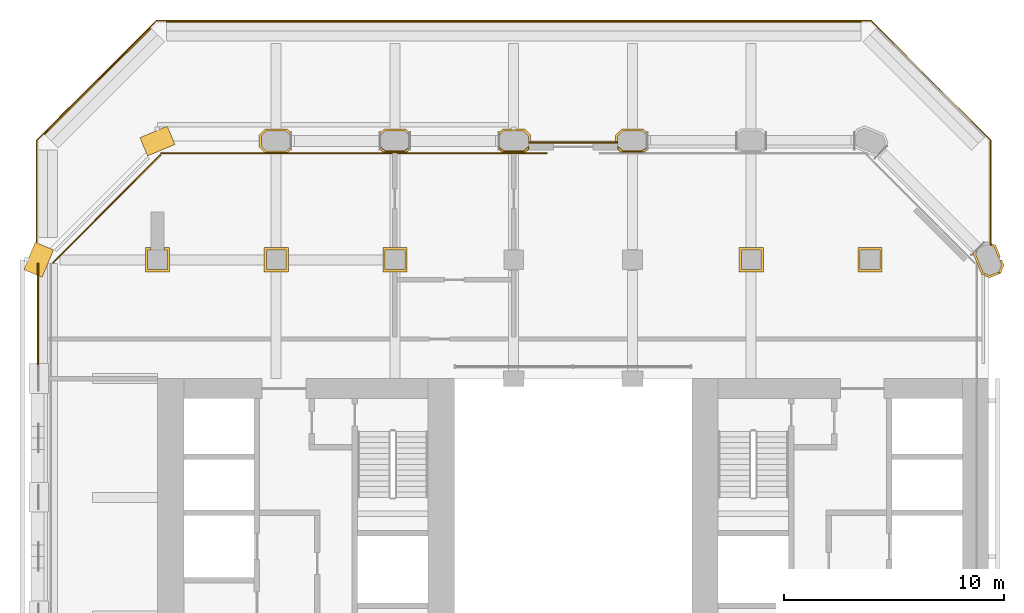
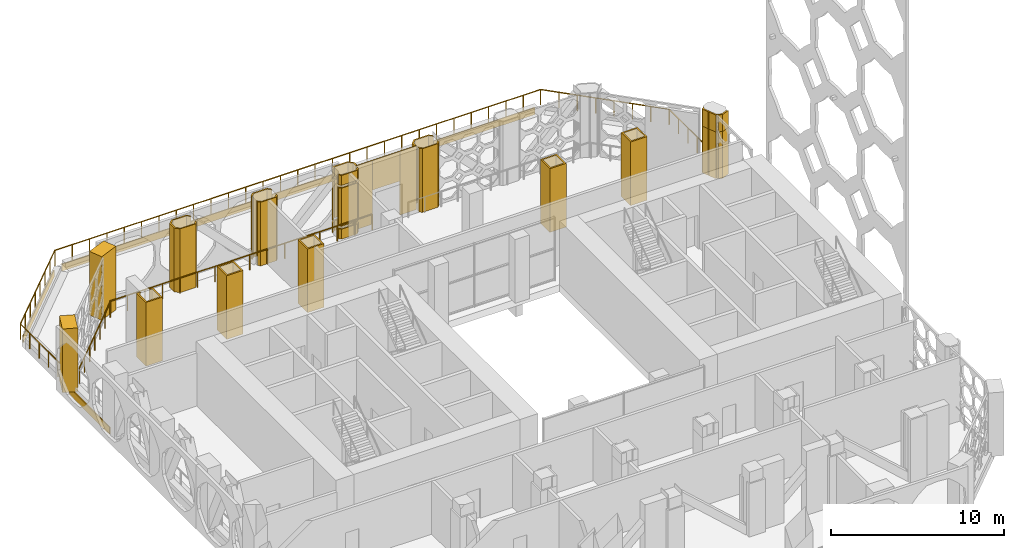
# One storey, part 16 of 17: 26 coverings, 3 railings.
"""IFC4 building model written with IfcOpenShell, lengths in metres."""

from ifc_helpers import new_model, si_unit, direction, frame, frame_2d, origin, origin_2d, place, context, subcontext, project, spatial, polyline, rectangle, circle, outline, extrude, material, layer, layer_set, type_object, element, save


model = new_model("IFC4")

# Units and contexts
model_context = context("Model", 3, precision=1e-05, world=origin(), true_north=direction((0.0, 1.0)))
body_context = subcontext(model_context, "Body", "Model", "MODEL_VIEW")
ifc_project = project(units=[si_unit("LENGTHUNIT", "METRE"), si_unit("AREAUNIT", "SQUARE_METRE"), si_unit("VOLUMEUNIT", "CUBIC_METRE"), si_unit("PLANEANGLEUNIT", "RADIAN"), si_unit("MASSUNIT", "GRAM", prefix="KILO")], contexts=[model_context])

# Site, building, storey
site_placement = place(None, origin())
site = spatial("IfcSite", under=ifc_project, at=site_placement, CompositionType="ELEMENT")
building_placement = place(site_placement, origin())
building = spatial("IfcBuilding", under=site, at=building_placement, Name="Tabaq Tower and Sports Hall", CompositionType="ELEMENT")
storey_placement = place(building_placement, frame((0.0, 0.0, 125.800048828125)))
storey = spatial("IfcBuildingStorey", under=building, at=storey_placement, Name="L30", CompositionType="ELEMENT", Elevation=125.800048828125)

# Coverings
ifc_material_1 = material(Name="Precast concrete C60/75", Category="concrete")
ifc_layer_1 = layer(ifc_material_1, 0.10009765625)
ifc_layer_set_1 = layer_set([ifc_layer_1], Name="Column cladding 100")
covering_type_1 = type_object("IfcCoveringType", Name="Column cladding 100", PredefinedType="CLADDING", material=ifc_layer_set_1)
covering_1_placement = place(storey_placement, origin())
element("IfcCovering", 1, at=covering_1_placement, inside=storey, type_object=covering_type_1, Name="Column cladding L30 CC-2H-S1", PredefinedType="CLADDING", context=body_context, shape_type="SweptSolid", body=[
    extrude(outline(polyline([(5.099609375, 38.349609375), (5.099609375, 38.250244140625), (4.94970703125, 38.250244140625), (4.94970703125, 37.349609375), (5.850341796875, 37.349609375), (5.850341796875, 38.250244140625), (5.7001953125, 38.250244140625), (5.7001953125, 38.349609375), (5.94970703125, 38.349609375), (5.94970703125, 37.250244140625), (4.850341796875, 37.250244140625), (4.850341796875, 38.349609375), (5.099609375, 38.349609375)])), origin(), (0.0, 0.0, 1.0), 4.5),
])
covering_2_placement = place(storey_placement, origin())
element("IfcCovering", 2, at=covering_2_placement, inside=storey, type_object=covering_type_1, Name="Column cladding L30 CC-3H-S1", PredefinedType="CLADDING", context=body_context, shape_type="SweptSolid", body=[
    extrude(outline(polyline([(10.250244140625, 38.349609375), (11.349609375, 38.349609375), (11.349609375, 37.250244140625), (10.250244140625, 37.250244140625), (10.250244140625, 38.349609375)]), holes=[polyline([(11.250244140625, 37.349609375), (11.250244140625, 38.250244140625), (10.349609375, 38.250244140625), (10.349609375, 37.349609375), (11.250244140625, 37.349609375)])]), origin(), (0.0, 0.0, 1.0), 4.5),
])
covering_3_placement = place(storey_placement, origin())
element("IfcCovering", 3, at=covering_3_placement, inside=storey, type_object=covering_type_1, Name="Column cladding L30 PC-3I-S1", PredefinedType="CLADDING", context=body_context, shape_type="SweptSolid", body=[
    extrude(outline(polyline([(10.025390625, 43.46630859375), (10.30859375, 43.749755859375), (11.291259765625, 43.749755859375), (11.459716796875, 43.581298828125), (11.459716796875, 43.4501953125), (11.4501953125, 43.4501953125), (11.250244140625, 43.650390625), (10.349853515625, 43.650390625), (10.124755859375, 43.425048828125), (10.124755859375, 42.974853515625), (10.349853515625, 42.749755859375), (11.250244140625, 42.749755859375), (11.4501953125, 42.94970703125), (11.459716796875, 42.94970703125), (11.459716796875, 42.818603515625), (11.331298828125, 42.690185546875), (10.268798828125, 42.690185546875), (10.025390625, 42.93359375), (10.025390625, 43.46630859375)])), origin(), (0.0, 0.0, 1.0), 4.5),
])
covering_4_placement = place(storey_placement, origin())
element("IfcCovering", 4, at=covering_4_placement, inside=storey, type_object=covering_type_1, Name="Column cladding L30 CC-4H-S1", PredefinedType="CLADDING", context=body_context, shape_type="SweptSolid", body=[
    extrude(outline(polyline([(15.650390625, 38.349609375), (16.749755859375, 38.349609375), (16.749755859375, 37.250244140625), (15.650390625, 37.250244140625), (15.650390625, 38.349609375)]), holes=[polyline([(16.650390625, 37.349609375), (16.650390625, 38.250244140625), (15.749755859375, 38.250244140625), (15.749755859375, 37.349609375), (16.650390625, 37.349609375)])]), origin(), (0.0, 0.0, 1.0), 4.5),
])
covering_5_placement = place(storey_placement, origin())
element("IfcCovering", 5, at=covering_5_placement, inside=storey, type_object=covering_type_1, Name="Column cladding L30 PC-4I-S1", PredefinedType="CLADDING", context=body_context, shape_type="SweptSolid", body=[
    extrude(outline(polyline([(15.708740234375, 43.749755859375), (16.69140625, 43.749755859375), (16.859619140625, 43.581298828125), (16.859619140625, 43.4501953125), (16.85009765625, 43.4501953125), (16.650146484375, 43.650390625), (15.749755859375, 43.650390625), (15.5498046875, 43.4501953125), (15.540283203125, 43.4501953125), (15.540283203125, 43.581298828125), (15.708740234375, 43.749755859375)])), origin(), (0.0, 0.0, 1.0), 4.5),
])
covering_6_placement = place(storey_placement, origin())
element("IfcCovering", 6, at=covering_6_placement, inside=storey, type_object=covering_type_1, Name="Column cladding L30 PC-4I-S1 2", PredefinedType="CLADDING", context=body_context, shape_type="SweptSolid", body=[
    extrude(outline(polyline([(16.731201171875, 42.690185546875), (15.668701171875, 42.690185546875), (15.540283203125, 42.818603515625), (15.540283203125, 42.94970703125), (15.5498046875, 42.94970703125), (15.749755859375, 42.749755859375), (16.650146484375, 42.749755859375), (16.85009765625, 42.94970703125), (16.859619140625, 42.94970703125), (16.859619140625, 42.818603515625), (16.731201171875, 42.690185546875)])), origin(), (0.0, 0.0, 1.0), 4.5),
])
covering_7_placement = place(storey_placement, origin())
element("IfcCovering", 7, at=covering_7_placement, inside=storey, type_object=covering_type_1, Name="Column cladding L30 PC-5I-S1", PredefinedType="CLADDING", context=body_context, shape_type="SweptSolid", body=[
    extrude(outline(polyline([(21.108642578125, 43.749755859375), (22.09130859375, 43.749755859375), (22.374755859375, 43.46630859375), (22.374755859375, 43.160400390625), (22.275390625, 43.160400390625), (22.275390625, 43.425048828125), (22.050048828125, 43.650390625), (21.14990234375, 43.650390625), (20.949951171875, 43.4501953125), (20.940185546875, 43.4501953125), (20.940185546875, 43.581298828125), (21.108642578125, 43.749755859375)])), origin(), (0.0, 0.0, 1.0), 0.699951171875),
])
covering_8_placement = place(storey_placement, origin())
element("IfcCovering", 8, at=covering_8_placement, inside=storey, type_object=covering_type_1, Name="Column cladding L30 PC-5I-S1 2", PredefinedType="CLADDING", context=body_context, shape_type="SweptSolid", body=[
    extrude(outline(polyline([(22.13134765625, 42.690185546875), (21.068603515625, 42.690185546875), (20.940185546875, 42.818603515625), (20.940185546875, 42.94970703125), (20.949951171875, 42.94970703125), (21.14990234375, 42.749755859375), (22.050048828125, 42.749755859375), (22.274658203125, 42.974365234375), (22.274658203125, 42.833740234375), (22.13134765625, 42.690185546875)])), origin(), (0.0, 0.0, 1.0), 0.699951171875),
])
covering_9_placement = place(storey_placement, frame((0.0, 0.0, 0.89990234375)))
element("IfcCovering", 9, at=covering_9_placement, inside=storey, type_object=covering_type_1, Name="Column cladding L30 PC-5I-S1 2", PredefinedType="CLADDING", context=body_context, shape_type="SweptSolid", body=[
    extrude(outline(polyline([(21.108642578125, 43.749755859375), (22.09130859375, 43.749755859375), (22.374755859375, 43.46630859375), (22.374755859375, 43.160400390625), (22.275390625, 43.160400390625), (22.275390625, 43.425048828125), (22.050048828125, 43.650390625), (21.14990234375, 43.650390625), (20.949951171875, 43.4501953125), (20.940185546875, 43.4501953125), (20.940185546875, 43.581298828125), (21.108642578125, 43.749755859375)])), origin(), (0.0, 0.0, 1.0), 2.699951171875),
])
covering_10_placement = place(storey_placement, frame((0.0, 0.0, 0.89990234375)))
element("IfcCovering", 10, at=covering_10_placement, inside=storey, type_object=covering_type_1, Name="Column cladding L30 PC-5I-S1 2 2", PredefinedType="CLADDING", context=body_context, shape_type="SweptSolid", body=[
    extrude(outline(polyline([(22.13134765625, 42.690185546875), (21.068603515625, 42.690185546875), (20.940185546875, 42.818603515625), (20.940185546875, 42.94970703125), (20.949951171875, 42.94970703125), (21.14990234375, 42.749755859375), (22.050048828125, 42.749755859375), (22.274658203125, 42.974365234375), (22.274658203125, 42.833740234375), (22.13134765625, 42.690185546875)])), origin(), (0.0, 0.0, 1.0), 2.699951171875),
])
covering_11_placement = place(storey_placement, frame((0.0, 0.0, 3.800048828125)))
element("IfcCovering", 11, at=covering_11_placement, inside=storey, type_object=covering_type_1, Name="Column cladding L30 PC-5I-S1 3", PredefinedType="CLADDING", context=body_context, shape_type="SweptSolid", body=[
    extrude(outline(polyline([(21.108642578125, 43.749755859375), (22.09130859375, 43.749755859375), (22.374755859375, 43.46630859375), (22.374755859375, 43.160400390625), (22.275390625, 43.160400390625), (22.275390625, 43.425048828125), (22.050048828125, 43.650390625), (21.14990234375, 43.650390625), (20.949951171875, 43.4501953125), (20.940185546875, 43.4501953125), (20.940185546875, 43.581298828125), (21.108642578125, 43.749755859375)])), origin(), (0.0, 0.0, 1.0), 0.699951171875),
])
covering_12_placement = place(storey_placement, frame((0.0, 0.0, 3.800048828125)))
element("IfcCovering", 12, at=covering_12_placement, inside=storey, type_object=covering_type_1, Name="Column cladding L30 PC-5I-S1 3 2", PredefinedType="CLADDING", context=body_context, shape_type="SweptSolid", body=[
    extrude(outline(polyline([(22.13134765625, 42.690185546875), (21.068603515625, 42.690185546875), (20.940185546875, 42.818603515625), (20.940185546875, 42.94970703125), (20.949951171875, 42.94970703125), (21.14990234375, 42.749755859375), (22.050048828125, 42.749755859375), (22.274658203125, 42.974365234375), (22.274658203125, 42.833740234375), (22.13134765625, 42.690185546875)])), origin(), (0.0, 0.0, 1.0), 0.699951171875),
])
covering_13_placement = place(storey_placement, origin())
element("IfcCovering", 13, at=covering_13_placement, inside=storey, type_object=covering_type_1, Name="Column cladding L30 PC-6I-S1", PredefinedType="CLADDING", context=body_context, shape_type="SweptSolid", body=[
    extrude(outline(polyline([(26.225341796875, 43.46630859375), (26.5087890625, 43.749755859375), (27.4912109375, 43.749755859375), (27.65966796875, 43.581298828125), (27.65966796875, 43.4501953125), (27.650146484375, 43.4501953125), (27.4501953125, 43.650390625), (26.5498046875, 43.650390625), (26.32470703125, 43.425048828125), (26.32470703125, 43.160400390625), (26.225341796875, 43.160400390625), (26.225341796875, 43.46630859375)])), origin(), (0.0, 0.0, 1.0), 4.5),
])
covering_14_placement = place(storey_placement, origin())
element("IfcCovering", 14, at=covering_14_placement, inside=storey, type_object=covering_type_1, Name="Column cladding L30 PC-6I-S1 2", PredefinedType="CLADDING", context=body_context, shape_type="SweptSolid", body=[
    extrude(outline(polyline([(27.53125, 42.690185546875), (26.46875, 42.690185546875), (26.3251953125, 42.833740234375), (26.3251953125, 42.974365234375), (26.5498046875, 42.749755859375), (27.4501953125, 42.749755859375), (27.650146484375, 42.94970703125), (27.65966796875, 42.94970703125), (27.65966796875, 42.818603515625), (27.53125, 42.690185546875)])), origin(), (0.0, 0.0, 1.0), 4.5),
])
covering_15_placement = place(storey_placement, origin())
element("IfcCovering", 15, at=covering_15_placement, inside=storey, type_object=covering_type_1, Name="Column cladding L30 CC-7H-S1", PredefinedType="CLADDING", context=body_context, shape_type="SweptSolid", body=[
    extrude(outline(polyline([(31.850341796875, 38.349609375), (32.94970703125, 38.349609375), (32.94970703125, 37.250244140625), (31.850341796875, 37.250244140625), (31.850341796875, 38.349609375)]), holes=[polyline([(32.850341796875, 37.349609375), (32.850341796875, 38.250244140625), (31.94970703125, 38.250244140625), (31.94970703125, 37.349609375), (32.850341796875, 37.349609375)])]), origin(), (0.0, 0.0, 1.0), 4.5),
])
covering_16_placement = place(storey_placement, origin())
element("IfcCovering", 16, at=covering_16_placement, inside=storey, type_object=covering_type_1, Name="Column cladding L30 CC-8H-S1", PredefinedType="CLADDING", context=body_context, shape_type="SweptSolid", body=[
    extrude(outline(polyline([(37.250244140625, 38.349609375), (38.349609375, 38.349609375), (38.349609375, 37.250244140625), (37.250244140625, 37.250244140625), (37.250244140625, 38.349609375)]), holes=[polyline([(38.250244140625, 37.349609375), (38.250244140625, 38.250244140625), (37.349609375, 38.250244140625), (37.349609375, 37.349609375), (38.250244140625, 37.349609375)])]), origin(), (0.0, 0.0, 1.0), 4.5),
])
covering_17_placement = place(storey_placement, origin())
element("IfcCovering", 17, at=covering_17_placement, inside=storey, type_object=covering_type_1, Name="Column cladding L30 PC-9H-S1", PredefinedType="CLADDING", context=body_context, shape_type="SweptSolid", body=[
    extrude(outline(polyline([(43.25048828125, 36.982421875), (43.01025390625, 37.081787109375), (43.01025390625, 37.125244140625), (42.9052734375, 37.125244140625), (42.880126953125, 37.1357421875), (42.690185546875, 37.593994140625), (42.690185546875, 37.63427734375), (42.690185546875, 37.63818359375), (42.689453125, 37.64208984375), (42.6884765625, 37.64599609375), (42.687255859375, 37.649658203125), (42.685546875, 37.6533203125), (42.68359375, 37.65673828125), (42.68115234375, 37.659912109375), (42.678466796875, 37.662841796875), (42.675537109375, 37.66552734375), (42.67236328125, 37.667724609375), (42.6689453125, 37.669921875), (42.66552734375, 37.671630859375), (42.66162109375, 37.6728515625), (42.657958984375, 37.673828125), (42.6572265625, 37.673828125), (42.504150390625, 38.04345703125), (42.532958984375, 38.113037109375), (42.54248046875, 38.103515625), (42.702880859375, 38.263671875), (42.61181640625, 38.04345703125), (42.956298828125, 37.2119140625), (43.25048828125, 37.08984375), (43.66650390625, 37.26220703125), (43.788330078125, 37.556396484375), (43.44384765625, 38.38818359375), (43.3203125, 38.439208984375), (43.3203125, 38.546875), (43.519775390625, 38.46435546875), (43.73193359375, 37.9521484375), (43.69677734375, 37.9501953125), (43.696533203125, 37.9501953125), (43.696533203125, 37.7998046875), (43.795166015625, 37.7998046875), (43.895751953125, 37.556396484375), (43.742431640625, 37.186279296875), (43.25048828125, 36.982421875)])), origin(), (0.0, 0.0, 1.0), 3.300048828125),
])
covering_18_placement = place(storey_placement, frame((0.0, 0.0, 3.300048828125)))
element("IfcCovering", 18, at=covering_18_placement, inside=storey, type_object=covering_type_1, Name="Column cladding L30 PC-9H-S1 head", PredefinedType="CLADDING", context=body_context, shape_type="SweptSolid", body=[
    extrude(outline(polyline([(43.01025390625, 37.081787109375), (43.01025390625, 37.125244140625), (42.9052734375, 37.125244140625), (42.880126953125, 37.1357421875), (42.690185546875, 37.593994140625), (42.690185546875, 37.63427734375), (42.690185546875, 37.63818359375), (42.689453125, 37.64208984375), (42.6884765625, 37.64599609375), (42.687255859375, 37.649658203125), (42.685546875, 37.6533203125), (42.68359375, 37.65673828125), (42.68115234375, 37.659912109375), (42.678466796875, 37.662841796875), (42.675537109375, 37.66552734375), (42.67236328125, 37.667724609375), (42.6689453125, 37.669921875), (42.66552734375, 37.671630859375), (42.66162109375, 37.6728515625), (42.657958984375, 37.673828125), (42.6572265625, 37.673828125), (42.504150390625, 38.04345703125), (42.532958984375, 38.113037109375), (42.54248046875, 38.103515625), (42.702880859375, 38.263671875), (42.61181640625, 38.04345703125), (42.956298828125, 37.2119140625), (43.25048828125, 37.08984375), (43.649658203125, 37.25537109375), (43.649658203125, 37.19970703125), (43.748046875, 37.19970703125), (43.742431640625, 37.186279296875), (43.25048828125, 36.982421875), (43.01025390625, 37.081787109375)])), origin(), (0.0, 0.0, 1.0), 1.199951171875),
])
ifc_material_2 = material(Name="Precast concrete C60/75", Category="concrete")
ifc_layer_2 = layer(ifc_material_2, 0.06005859375)
ifc_layer_set_2 = layer_set([ifc_layer_2], Name="Edge beam cladding 60")
covering_type_2 = type_object("IfcCoveringType", Name="Edge beam cladding 60", PredefinedType="CLADDING", material=ifc_layer_set_2)
covering_19_placement = place(storey_placement, frame((37.39794921875, 48.6298828125, -0.5), z_axis=(0.0, 0.0, 1.0), x_axis=(-1.0, 0.0, 0.0)))
element("IfcCovering", 19, at=covering_19_placement, inside=storey, type_object=covering_type_2, Name="Edge beam cladding L30 6", PredefinedType="CLADDING", context=body_context, shape_type="SweptSolid", body=[
    extrude(rectangle(XDim=31.595947265625, YDim=0.06005859375, at=frame_2d((15.7978515625, 0.0))), origin(), (0.0, 0.0, 1.0), 0.5),
])
covering_20_placement = place(storey_placement, frame((5.094482421875, 48.3369140625, -0.5), z_axis=(0.0, 0.0, 1.0), x_axis=(-0.707106781187, -0.707106781187, 0.0)))
element("IfcCovering", 20, at=covering_20_placement, inside=storey, type_object=covering_type_2, Name="Edge beam cladding L30 7", PredefinedType="CLADDING", context=body_context, shape_type="SweptSolid", body=[
    extrude(rectangle(XDim=6.83251953125, YDim=0.06005859375, at=frame_2d((3.416259765625, 0.0))), origin(), (0.0, 0.0, 1.0), 0.5),
])
covering_21_placement = place(storey_placement, frame((-0.030029296875, 37.63818359375, -0.5), z_axis=(0.0, 0.0, 1.0), x_axis=(0.0, -1.0, 0.0)))
element("IfcCovering", 21, at=covering_21_placement, inside=storey, type_object=covering_type_2, Name="Edge beam cladding L30 1", PredefinedType="CLADDING", context=body_context, shape_type="SweptSolid", body=[
    extrude(rectangle(XDim=4.67822265625, YDim=0.06005859375, at=frame_2d((2.339111328125, 0.0))), origin(), (0.0, 0.0, 1.0), 0.5),
])

# Railings
ifc_material_3 = material(Name="Stainless steel S316 and laminated glass", Category="steel")
railing_type = type_object("IfcRailingType", Name="Guard 1100 steel and glass", PredefinedType="GUARDRAIL", material=ifc_material_3)
railing_1_placement = place(storey_placement, frame((23.10009765625, 42.64990234375, 0.0)))
element("IfcRailing", 22, at=railing_1_placement, inside=storey, type_object=railing_type, Name="Guard L30 N", PredefinedType="GUARDRAIL", context=body_context, shape_type="SweptSolid", body=[
    extrude(circle(Radius=0.02490234375, at=origin_2d()), frame((0.0, 0.0, 1.0751953125), z_axis=(-1.0, 0.0, 0.0), x_axis=(0.0, -1.0, 0.0)), (0.0, 0.0, 1.0), 17.534423828125),
    extrude(circle(Radius=0.02001953125, at=origin_2d()), origin(), (0.0, 0.0, 1.0), 1.050048828125),
    extrude(circle(Radius=0.02001953125, at=origin_2d()), frame((-1.1689453125, 0.0, 0.0)), (0.0, 0.0, 1.0), 1.050048828125),
    extrude(circle(Radius=0.02001953125, at=origin_2d()), frame((-2.337890625, 0.0, 0.0)), (0.0, 0.0, 1.0), 1.050048828125),
    extrude(circle(Radius=0.02001953125, at=origin_2d()), frame((-3.5068359375, 0.0, 0.0)), (0.0, 0.0, 1.0), 1.050048828125),
    extrude(circle(Radius=0.02001953125, at=origin_2d()), frame((-4.67578125, 0.0, 0.0)), (0.0, 0.0, 1.0), 1.050048828125),
    extrude(circle(Radius=0.02001953125, at=origin_2d()), frame((-5.8447265625, 0.0, 0.0)), (0.0, 0.0, 1.0), 1.050048828125),
    extrude(circle(Radius=0.02001953125, at=origin_2d()), frame((-7.013671875, 0.0, 0.0)), (0.0, 0.0, 1.0), 1.050048828125),
    extrude(circle(Radius=0.02001953125, at=origin_2d()), frame((-8.1826171875, 0.0, 0.0)), (0.0, 0.0, 1.0), 1.050048828125),
    extrude(circle(Radius=0.02001953125, at=origin_2d()), frame((-9.351806640625, 0.0, 0.0)), (0.0, 0.0, 1.0), 1.050048828125),
    extrude(circle(Radius=0.02001953125, at=origin_2d()), frame((-10.520751953125, 0.0, 0.0)), (0.0, 0.0, 1.0), 1.050048828125),
    extrude(circle(Radius=0.02001953125, at=origin_2d()), frame((-11.689697265625, 0.0, 0.0)), (0.0, 0.0, 1.0), 1.050048828125),
    extrude(circle(Radius=0.02001953125, at=origin_2d()), frame((-12.858642578125, 0.0, 0.0)), (0.0, 0.0, 1.0), 1.050048828125),
    extrude(circle(Radius=0.02001953125, at=origin_2d()), frame((-14.027587890625, 0.0, 0.0)), (0.0, 0.0, 1.0), 1.050048828125),
    extrude(circle(Radius=0.02001953125, at=origin_2d()), frame((-15.196533203125, 0.0, 0.0)), (0.0, 0.0, 1.0), 1.050048828125),
    extrude(circle(Radius=0.02001953125, at=origin_2d()), frame((-16.365478515625, 0.0, 0.0)), (0.0, 0.0, 1.0), 1.050048828125),
    extrude(circle(Radius=0.02001953125, at=origin_2d()), frame((-17.534423828125, 0.0, 0.0)), (0.0, 0.0, 1.0), 1.050048828125),
])
railing_2_placement = place(storey_placement, frame((5.52880859375, 42.551025390625, 0.0)))
element("IfcRailing", 23, at=railing_2_placement, inside=storey, type_object=railing_type, Name="Guard L30 NW", PredefinedType="GUARDRAIL", context=body_context, shape_type="SweptSolid", body=[
    extrude(circle(Radius=0.02490234375, at=origin_2d()), frame((0.0, 0.0, 1.0751953125), z_axis=(-0.707106781187, -0.707106781187, 0.0), x_axis=(0.707106781187, -0.707106781187, 0.0)), (0.0, 0.0, 1.0), 6.901123046875),
    extrude(circle(Radius=0.02001953125, at=origin_2d()), origin(), (0.0, 0.0, 1.0), 1.050048828125),
    extrude(circle(Radius=0.02001953125, at=origin_2d()), frame((-0.813232421875, -0.813232421875, 0.0)), (0.0, 0.0, 1.0), 1.050048828125),
    extrude(circle(Radius=0.02001953125, at=origin_2d()), frame((-1.626708984375, -1.626708984375, 0.0)), (0.0, 0.0, 1.0), 1.050048828125),
    extrude(circle(Radius=0.02001953125, at=origin_2d()), frame((-2.43994140625, -2.43994140625, 0.0)), (0.0, 0.0, 1.0), 1.050048828125),
    extrude(circle(Radius=0.02001953125, at=origin_2d()), frame((-3.253173828125, -3.253173828125, 0.0)), (0.0, 0.0, 1.0), 1.050048828125),
    extrude(circle(Radius=0.02001953125, at=origin_2d()), frame((-4.066650390625, -4.066650390625, 0.0)), (0.0, 0.0, 1.0), 1.050048828125),
    extrude(circle(Radius=0.02001953125, at=origin_2d()), frame((-4.8798828125, -4.8798828125, 0.0)), (0.0, 0.0, 1.0), 1.050048828125),
])
railing_3_placement = place(storey_placement, frame((-0.080078125, 37.800048828125, 0.0)))
element("IfcRailing", 24, at=railing_3_placement, inside=storey, type_object=railing_type, Name="Terrace guard L30", PredefinedType="GUARDRAIL", context=body_context, shape_type="SweptSolid", body=[
    extrude(circle(Radius=0.02490234375, at=origin_2d()), frame((0.0, 0.0, 1.0751953125), z_axis=(0.0, 1.0, 0.0), x_axis=(-1.0, 0.0, 0.0)), (0.0, 0.0, 1.0), 5.43310546875),
    extrude(circle(Radius=0.02490234375, at=origin_2d()), frame((0.0, 5.43310546875, 1.0751953125), z_axis=(0.70712262796, 0.707090934058, 0.0), x_axis=(-0.707090934058, 0.70712262796, 0.0)), (0.0, 0.0, 1.0), 7.703125),
    extrude(circle(Radius=0.02490234375, at=origin_2d()), frame((5.447021484375, 10.8798828125, 1.0751953125), z_axis=(1.0, 0.0, 0.0), x_axis=(0.0, 1.0, 0.0)), (0.0, 0.0, 1.0), 32.46630859375),
    extrude(circle(Radius=0.02490234375, at=origin_2d()), frame((37.913330078125, 10.8798828125, 1.0751953125), z_axis=(0.707106781187, -0.707106781187, 0.0), x_axis=(0.707106781187, 0.707106781187, 0.0)), (0.0, 0.0, 1.0), 7.702880859375),
    extrude(circle(Radius=0.02490234375, at=origin_2d()), frame((43.360107421875, 5.43310546875, 1.0751953125), z_axis=(0.0, -1.0, 0.0), x_axis=(1.0, 0.0, 0.0)), (0.0, 0.0, 1.0), 5.43310546875),
    extrude(circle(Radius=0.02001953125, at=origin_2d()), origin(), (0.0, 0.0, 1.0), 1.050048828125),
    extrude(circle(Radius=0.02001953125, at=origin_2d()), frame((0.0, 1.086669921875, 0.0)), (0.0, 0.0, 1.0), 1.050048828125),
    extrude(circle(Radius=0.02001953125, at=origin_2d()), frame((0.0, 2.17333984375, 0.0)), (0.0, 0.0, 1.0), 1.050048828125),
    extrude(circle(Radius=0.02001953125, at=origin_2d()), frame((0.0, 3.259765625, 0.0)), (0.0, 0.0, 1.0), 1.050048828125),
    extrude(circle(Radius=0.02001953125, at=origin_2d()), frame((0.0, 4.346435546875, 0.0)), (0.0, 0.0, 1.0), 1.050048828125),
    extrude(circle(Radius=0.02001953125, at=origin_2d()), frame((0.0, 5.43310546875, 0.0)), (0.0, 0.0, 1.0), 1.050048828125),
    extrude(circle(Radius=0.02001953125, at=origin_2d()), frame((0.778076171875, 6.211181640625, 0.0)), (0.0, 0.0, 1.0), 1.050048828125),
    extrude(circle(Radius=0.02001953125, at=origin_2d()), frame((1.556396484375, 6.9892578125, 0.0)), (0.0, 0.0, 1.0), 1.050048828125),
    extrude(circle(Radius=0.02001953125, at=origin_2d()), frame((2.33447265625, 7.767333984375, 0.0)), (0.0, 0.0, 1.0), 1.050048828125),
    extrude(circle(Radius=0.02001953125, at=origin_2d()), frame((3.112548828125, 8.545654296875, 0.0)), (0.0, 0.0, 1.0), 1.050048828125),
    extrude(circle(Radius=0.02001953125, at=origin_2d()), frame((3.890625, 9.32373046875, 0.0)), (0.0, 0.0, 1.0), 1.050048828125),
    extrude(circle(Radius=0.02001953125, at=origin_2d()), frame((4.6689453125, 10.101806640625, 0.0)), (0.0, 0.0, 1.0), 1.050048828125),
    extrude(circle(Radius=0.02001953125, at=origin_2d()), frame((5.447021484375, 10.8798828125, 0.0)), (0.0, 0.0, 1.0), 1.050048828125),
    extrude(circle(Radius=0.02001953125, at=origin_2d()), frame((6.6064453125, 10.8798828125, 0.0)), (0.0, 0.0, 1.0), 1.050048828125),
    extrude(circle(Radius=0.02001953125, at=origin_2d()), frame((7.76611328125, 10.8798828125, 0.0)), (0.0, 0.0, 1.0), 1.050048828125),
    extrude(circle(Radius=0.02001953125, at=origin_2d()), frame((8.925537109375, 10.8798828125, 0.0)), (0.0, 0.0, 1.0), 1.050048828125),
    extrude(circle(Radius=0.02001953125, at=origin_2d()), frame((10.0849609375, 10.8798828125, 0.0)), (0.0, 0.0, 1.0), 1.050048828125),
    extrude(circle(Radius=0.02001953125, at=origin_2d()), frame((11.24462890625, 10.8798828125, 0.0)), (0.0, 0.0, 1.0), 1.050048828125),
    extrude(circle(Radius=0.02001953125, at=origin_2d()), frame((12.404052734375, 10.8798828125, 0.0)), (0.0, 0.0, 1.0), 1.050048828125),
    extrude(circle(Radius=0.02001953125, at=origin_2d()), frame((13.5634765625, 10.8798828125, 0.0)), (0.0, 0.0, 1.0), 1.050048828125),
    extrude(circle(Radius=0.02001953125, at=origin_2d()), frame((14.72314453125, 10.8798828125, 0.0)), (0.0, 0.0, 1.0), 1.050048828125),
    extrude(circle(Radius=0.02001953125, at=origin_2d()), frame((15.882568359375, 10.8798828125, 0.0)), (0.0, 0.0, 1.0), 1.050048828125),
    extrude(circle(Radius=0.02001953125, at=origin_2d()), frame((17.042236328125, 10.8798828125, 0.0)), (0.0, 0.0, 1.0), 1.050048828125),
    extrude(circle(Radius=0.02001953125, at=origin_2d()), frame((18.20166015625, 10.8798828125, 0.0)), (0.0, 0.0, 1.0), 1.050048828125),
    extrude(circle(Radius=0.02001953125, at=origin_2d()), frame((19.361083984375, 10.8798828125, 0.0)), (0.0, 0.0, 1.0), 1.050048828125),
    extrude(circle(Radius=0.02001953125, at=origin_2d()), frame((20.520751953125, 10.8798828125, 0.0)), (0.0, 0.0, 1.0), 1.050048828125),
    extrude(circle(Radius=0.02001953125, at=origin_2d()), frame((21.68017578125, 10.8798828125, 0.0)), (0.0, 0.0, 1.0), 1.050048828125),
    extrude(circle(Radius=0.02001953125, at=origin_2d()), frame((22.839599609375, 10.8798828125, 0.0)), (0.0, 0.0, 1.0), 1.050048828125),
    extrude(circle(Radius=0.02001953125, at=origin_2d()), frame((23.999267578125, 10.8798828125, 0.0)), (0.0, 0.0, 1.0), 1.050048828125),
    extrude(circle(Radius=0.02001953125, at=origin_2d()), frame((25.15869140625, 10.8798828125, 0.0)), (0.0, 0.0, 1.0), 1.050048828125),
    extrude(circle(Radius=0.02001953125, at=origin_2d()), frame((26.318115234375, 10.8798828125, 0.0)), (0.0, 0.0, 1.0), 1.050048828125),
    extrude(circle(Radius=0.02001953125, at=origin_2d()), frame((27.477783203125, 10.8798828125, 0.0)), (0.0, 0.0, 1.0), 1.050048828125),
    extrude(circle(Radius=0.02001953125, at=origin_2d()), frame((28.63720703125, 10.8798828125, 0.0)), (0.0, 0.0, 1.0), 1.050048828125),
    extrude(circle(Radius=0.02001953125, at=origin_2d()), frame((29.796875, 10.8798828125, 0.0)), (0.0, 0.0, 1.0), 1.050048828125),
    extrude(circle(Radius=0.02001953125, at=origin_2d()), frame((30.956298828125, 10.8798828125, 0.0)), (0.0, 0.0, 1.0), 1.050048828125),
    extrude(circle(Radius=0.02001953125, at=origin_2d()), frame((32.11572265625, 10.8798828125, 0.0)), (0.0, 0.0, 1.0), 1.050048828125),
    extrude(circle(Radius=0.02001953125, at=origin_2d()), frame((33.275390625, 10.8798828125, 0.0)), (0.0, 0.0, 1.0), 1.050048828125),
    extrude(circle(Radius=0.02001953125, at=origin_2d()), frame((34.434814453125, 10.8798828125, 0.0)), (0.0, 0.0, 1.0), 1.050048828125),
    extrude(circle(Radius=0.02001953125, at=origin_2d()), frame((35.59423828125, 10.8798828125, 0.0)), (0.0, 0.0, 1.0), 1.050048828125),
    extrude(circle(Radius=0.02001953125, at=origin_2d()), frame((36.75390625, 10.8798828125, 0.0)), (0.0, 0.0, 1.0), 1.050048828125),
    extrude(circle(Radius=0.02001953125, at=origin_2d()), frame((37.913330078125, 10.8798828125, 0.0)), (0.0, 0.0, 1.0), 1.050048828125),
    extrude(circle(Radius=0.02001953125, at=origin_2d()), frame((38.69140625, 10.101806640625, 0.0)), (0.0, 0.0, 1.0), 1.050048828125),
    extrude(circle(Radius=0.02001953125, at=origin_2d()), frame((39.469482421875, 9.32373046875, 0.0)), (0.0, 0.0, 1.0), 1.050048828125),
    extrude(circle(Radius=0.02001953125, at=origin_2d()), frame((40.24755859375, 8.545654296875, 0.0)), (0.0, 0.0, 1.0), 1.050048828125),
    extrude(circle(Radius=0.02001953125, at=origin_2d()), frame((41.02587890625, 7.767333984375, 0.0)), (0.0, 0.0, 1.0), 1.050048828125),
    extrude(circle(Radius=0.02001953125, at=origin_2d()), frame((41.803955078125, 6.9892578125, 0.0)), (0.0, 0.0, 1.0), 1.050048828125),
    extrude(circle(Radius=0.02001953125, at=origin_2d()), frame((42.58203125, 6.211181640625, 0.0)), (0.0, 0.0, 1.0), 1.050048828125),
    extrude(circle(Radius=0.02001953125, at=origin_2d()), frame((43.360107421875, 5.43310546875, 0.0)), (0.0, 0.0, 1.0), 1.050048828125),
    extrude(circle(Radius=0.02001953125, at=origin_2d()), frame((43.360107421875, 4.346435546875, 0.0)), (0.0, 0.0, 1.0), 1.050048828125),
    extrude(circle(Radius=0.02001953125, at=origin_2d()), frame((43.360107421875, 3.259765625, 0.0)), (0.0, 0.0, 1.0), 1.050048828125),
    extrude(circle(Radius=0.02001953125, at=origin_2d()), frame((43.360107421875, 2.17333984375, 0.0)), (0.0, 0.0, 1.0), 1.050048828125),
    extrude(circle(Radius=0.02001953125, at=origin_2d()), frame((43.360107421875, 1.086669921875, 0.0)), (0.0, 0.0, 1.0), 1.050048828125),
    extrude(circle(Radius=0.02001953125, at=origin_2d()), frame((43.360107421875, 0.0, 0.0)), (0.0, 0.0, 1.0), 1.050048828125),
])

# Coverings
ifc_material_4 = material(Name="White precast concrete C60/75", Category="concrete")
covering_type_3 = type_object("IfcCoveringType", Name="Pier cladding hung 1350x900", PredefinedType="CLADDING", material=ifc_material_4)
for number, where, z_axis, x_axis, name in (
    (25, (0.25830078125, 38.423583984375, 0.0), (0.0, 0.0, 1.0), (-0.382649923473, -0.923893411637, 0.0), "Hung pier cladding 0/7"),
    (26, (6.023681640625, 43.458251953125, 0.0), (0.0, 0.0, 1.0), (-0.923893411637, -0.382649923473, 0.0), "Hung pier cladding 1/8"),
):
    element("IfcCovering", number, at=place(storey_placement, frame(where, z_axis=z_axis, x_axis=x_axis)), inside=storey, type_object=covering_type_3, Name=name, PredefinedType="CLADDING", context=body_context, shape_type="SweptSolid", body=[
        extrude(rectangle(XDim=1.35009765625, YDim=0.89990234375, at=frame_2d((0.675048828125, 0.0))), origin(), (0.0, 0.0, 1.0), 4.5),
    ])
ifc_material_5 = material(Name="Precast concrete C60/75", Category="concrete")
ifc_layer_3 = layer(ifc_material_5, 0.06005859375)
ifc_layer_set_3 = layer_set([ifc_layer_3], Name="White precast cladding panel 60 C60/75")
covering_type_4 = type_object("IfcCoveringType", Name="White precast cladding panel 60 C60/75", PredefinedType="CLADDING", material=ifc_layer_set_3)
covering_22_placement = place(storey_placement, frame((26.324951171875, 43.1298828125, 0.0), z_axis=(0.0, 0.0, 1.0), x_axis=(-1.0, 0.0, 0.0)))
element("IfcCovering", 27, at=covering_22_placement, inside=storey, type_object=covering_type_4, Name="White precast cladding panel L30 infill-N2", PredefinedType="CLADDING", context=body_context, shape_type="SweptSolid", body=[
    extrude(rectangle(XDim=1.114990234375, YDim=0.06005859375, at=frame_2d((0.5576171875, 0.0))), origin(), (0.0, 0.0, 1.0), 4.5),
])
covering_23_placement = place(storey_placement, frame((25.2099609375, 43.1298828125, 2.409912109375), z_axis=(0.0, 0.0, 1.0), x_axis=(-1.0, 0.0, 0.0)))
element("IfcCovering", 28, at=covering_23_placement, inside=storey, type_object=covering_type_4, Name="White precast cladding panel L30 infill-N2 2", PredefinedType="CLADDING", context=body_context, shape_type="SweptSolid", body=[
    extrude(rectangle(XDim=1.820068359375, YDim=0.06005859375, at=frame_2d((0.91015625, 0.0))), origin(), (0.0, 0.0, 1.0), 2.090087890625),
])
covering_24_placement = place(storey_placement, frame((23.389892578125, 43.1298828125, 0.0), z_axis=(0.0, 0.0, 1.0), x_axis=(-1.0, 0.0, 0.0)))
element("IfcCovering", 29, at=covering_24_placement, inside=storey, type_object=covering_type_4, Name="White precast cladding panel L30 infill-N2 3", PredefinedType="CLADDING", context=body_context, shape_type="SweptSolid", body=[
    extrude(rectangle(XDim=1.114990234375, YDim=0.06005859375, at=frame_2d((0.5576171875, 0.0))), origin(), (0.0, 0.0, 1.0), 4.5),
])

save(model, "model.ifc")
